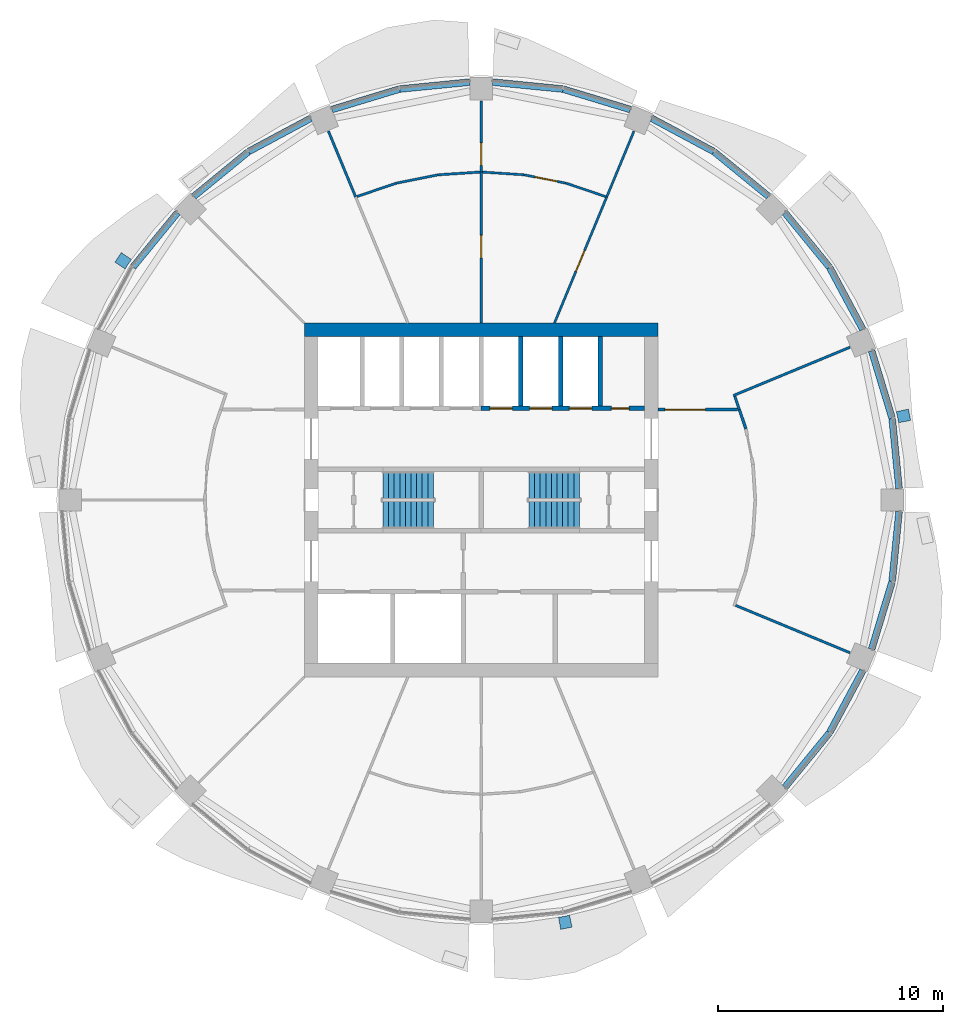
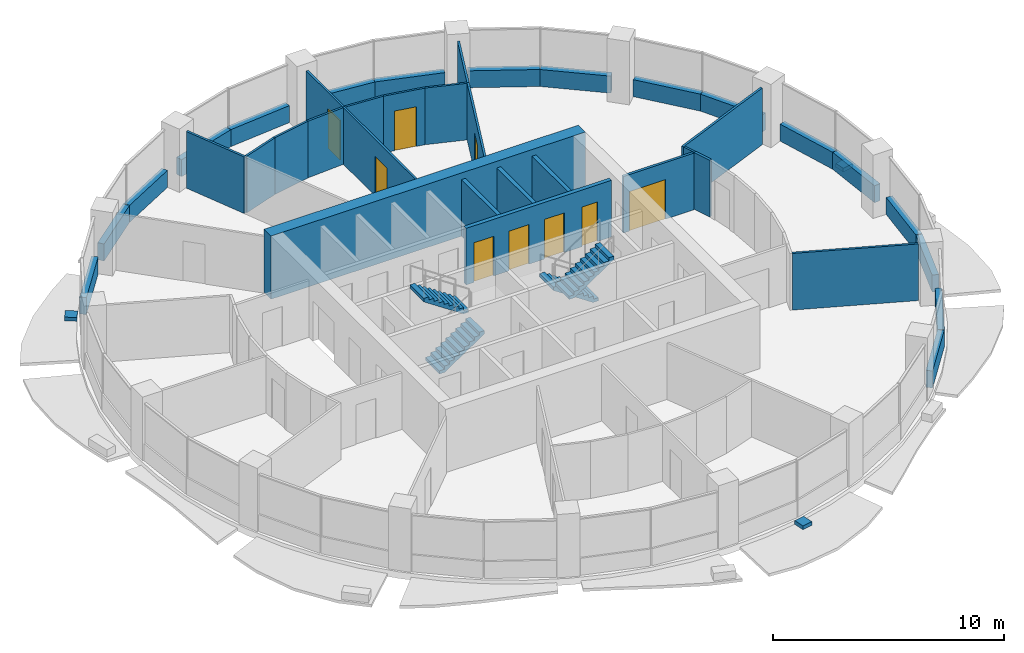
# One storey, part 10 of 14: 38 walls, 9 doors, 4 stair flights, 3 discrete accessories, 9 openings, 2 elements without a shape of their own.
"""IFC4 building model written with IfcOpenShell, lengths in metres."""

from ifc_helpers import new_model, si_unit, direction, frame, frame_2d, origin, place, context, subcontext, project, spatial, polyline, rectangle, outline, extrude, material, layer, layer_set, type_object, element, fill, aggregate, save


model = new_model("IFC4")

# Units and contexts
model_context = context("Model", 3, precision=1e-05, world=origin(), true_north=direction((0.0, 1.0)))
body_context = subcontext(model_context, "Body", "Model", "MODEL_VIEW")
ifc_project = project(units=[si_unit("LENGTHUNIT", "METRE"), si_unit("AREAUNIT", "SQUARE_METRE"), si_unit("VOLUMEUNIT", "CUBIC_METRE"), si_unit("PLANEANGLEUNIT", "RADIAN"), si_unit("MASSUNIT", "GRAM", prefix="KILO")], contexts=[model_context])

# Site, building, storey
site_placement = place(None, origin())
site = spatial("IfcSite", under=ifc_project, at=site_placement, CompositionType="ELEMENT")
building_placement = place(site_placement, origin())
building = spatial("IfcBuilding", under=site, at=building_placement, Name="Polderwave Tower", CompositionType="ELEMENT")
storey_placement = place(building_placement, frame((0.0, 0.0, 147.75)))
storey = spatial("IfcBuildingStorey", under=building, at=storey_placement, Name="L39", CompositionType="ELEMENT", Elevation=147.75)

# Walls
ifc_material_1 = material(Name="Concrete C60/75", Category="concrete")
ifc_layer_1 = layer(ifc_material_1, 0.60009765625)
ifc_layer_set_1 = layer_set([ifc_layer_1], Name="CORE WALL 600 C60/75")
wall_type_1 = type_object("IfcWallType", Name="CORE WALL 600 C60/75", PredefinedType="SHEAR", material=ifc_layer_set_1)
wall_1_placement = place(storey_placement, frame((-7.8740234375, 7.573974609375, 0.0), z_axis=(0.0, 0.0, 1.0), x_axis=(1.0, 0.0, 0.0)))
element("IfcWall", 1, at=wall_1_placement, inside=storey, type_object=wall_type_1, Name="ST-CORE-L39-N", PredefinedType="SHEAR", context=body_context, shape_type="SweptSolid", body=[
    extrude(rectangle(XDim=15.748046875, YDim=0.60009765625, at=frame_2d((7.8740234375, 0.0))), origin(), (0.0, 0.0, 1.0), 3.35009765625),
])
ifc_material_2 = material(Name="Concrete C50/60 (board-marked)", Category="concrete")
ifc_layer_2 = layer(ifc_material_2, 0.300048828125)
ifc_layer_set_2 = layer_set([ifc_layer_2], Name="Concrete spandrel upstand C50/60")
wall_type_2 = type_object("IfcWallType", Name="Concrete spandrel upstand C50/60", PredefinedType="SOLIDWALL", material=ifc_layer_set_2)
wall_2_placement = place(storey_placement, frame((18.599609375, 0.513916015625, 0.0), z_axis=(0.0, 0.0, 1.0), x_axis=(-0.097994848851, 0.995186921939, 0.0)))
element("IfcWall", 2, at=wall_2_placement, inside=storey, type_object=wall_type_2, Name="Spandrel L39 1a", PredefinedType="SOLIDWALL", context=body_context, shape_type="SweptSolid", body=[
    extrude(rectangle(XDim=3.124267578125, YDim=0.300048828125, at=frame_2d((1.56201171875, 0.0))), origin(), (0.0, 0.0, 1.0), 0.89990234375),
])
for number, where, z_axis, x_axis, name in (
    (3, (18.28759765625, 3.65234375, 0.0), (0.0, 0.0, 1.0), (-0.290614442714, 0.95684024042, 0.0), "Spandrel L39 1b"),
    (4, (16.98681640625, 7.59228515625, 0.0), (0.0, 0.0, 1.0), (-0.471577373746, 0.881824688116, 0.0), "Spandrel L39 2a"),
    (5, (15.49658203125, 10.37255859375, 0.0), (0.0, 0.0, 1.0), (-0.633977746593, 0.773351289405, 0.0), "Spandrel L39 2b"),
    (6, (12.789306640625, 13.515380859375, 0.0), (0.0, 0.0, 1.0), (-0.773351289405, 0.633977746593, 0.0), "Spandrel L39 3a"),
    (7, (10.347900390625, 15.51318359375, 0.0), (0.0, 0.0, 1.0), (-0.881824688116, 0.471577373746, 0.0), "Spandrel L39 3b"),
    (8, (6.642578125, 17.37939453125, 0.0), (0.0, 0.0, 1.0), (-0.95684024042, 0.290614442714, 0.0), "Spandrel L39 4a"),
):
    element("IfcWall", number, at=place(storey_placement, frame(where, z_axis=z_axis, x_axis=x_axis)), inside=storey, type_object=wall_type_2, Name=name, PredefinedType="SOLIDWALL", context=body_context, shape_type="SweptSolid", body=[
        extrude(rectangle(XDim=3.125, YDim=0.300048828125, at=frame_2d((1.5625, 0.0))), origin(), (0.0, 0.0, 1.0), 0.89990234375),
    ])
for number, where, z_axis, x_axis, name in (
    (9, (3.623046875, 18.29345703125, 0.0), (0.0, 0.0, 1.0), (-0.995186921939, 0.097994848851, 0.0), "Spandrel L39 4b"),
    (10, (-0.513916015625, 18.599609375, 0.0), (0.0, 0.0, 1.0), (-0.995186921939, -0.097994848851, 0.0), "Spandrel L39 5a"),
):
    element("IfcWall", number, at=place(storey_placement, frame(where, z_axis=z_axis, x_axis=x_axis)), inside=storey, type_object=wall_type_2, Name=name, PredefinedType="SOLIDWALL", context=body_context, shape_type="SweptSolid", body=[
        extrude(rectangle(XDim=3.124267578125, YDim=0.300048828125, at=frame_2d((1.56201171875, 0.0))), origin(), (0.0, 0.0, 1.0), 0.89990234375),
    ])
for number, where, z_axis, x_axis, name in (
    (11, (-3.65234375, 18.28759765625, 0.0), (0.0, 0.0, 1.0), (-0.95684024042, -0.290614442714, 0.0), "Spandrel L39 5b"),
    (12, (-7.59228515625, 16.98681640625, 0.0), (0.0, 0.0, 1.0), (-0.881824688116, -0.471577373746, 0.0), "Spandrel L39 6a"),
    (13, (-10.37255859375, 15.49658203125, 0.0), (0.0, 0.0, 1.0), (-0.773351289405, -0.633977746593, 0.0), "Spandrel L39 6b"),
    (14, (-13.515380859375, 12.789306640625, 0.0), (0.0, 0.0, 1.0), (-0.633977746593, -0.773351289405, 0.0), "Spandrel L39 7a"),
    (15, (13.515380859375, -12.789306640625, 0.0), (0.0, 0.0, 1.0), (0.633977746593, 0.773351289405, 0.0), "Spandrel L39 15a"),
    (16, (15.51318359375, -10.347900390625, 0.0), (0.0, 0.0, 1.0), (0.471577373746, 0.881824688116, 0.0), "Spandrel L39 15b"),
    (17, (17.37939453125, -6.642578125, 0.0), (0.0, 0.0, 1.0), (0.290614442714, 0.95684024042, 0.0), "Spandrel L39 16a"),
):
    element("IfcWall", number, at=place(storey_placement, frame(where, z_axis=z_axis, x_axis=x_axis)), inside=storey, type_object=wall_type_2, Name=name, PredefinedType="SOLIDWALL", context=body_context, shape_type="SweptSolid", body=[
        extrude(rectangle(XDim=3.125, YDim=0.300048828125, at=frame_2d((1.5625, 0.0))), origin(), (0.0, 0.0, 1.0), 0.89990234375),
    ])
wall_3_placement = place(storey_placement, frame((18.29345703125, -3.623046875, 0.0), z_axis=(0.0, 0.0, 1.0), x_axis=(0.097994848851, 0.995186921939, 0.0)))
element("IfcWall", 18, at=wall_3_placement, inside=storey, type_object=wall_type_2, Name="Spandrel L39 16b", PredefinedType="SOLIDWALL", context=body_context, shape_type="SweptSolid", body=[
    extrude(rectangle(XDim=3.124267578125, YDim=0.300048828125, at=frame_2d((1.56201171875, 0.0))), origin(), (0.0, 0.0, 1.0), 0.89990234375),
])

# Wall, openings, doors
ifc_material_3 = material(Name="Concrete C50/60", Category="concrete")
ifc_layer_3 = layer(ifc_material_3, 0.199951171875)
ifc_layer_set_3 = layer_set([ifc_layer_3], Name="Core web wall 200")
wall_type_3 = type_object("IfcWallType", Name="Core web wall 200", PredefinedType="SHEAR", material=ifc_layer_set_3)
wall_4_placement = place(storey_placement, frame((0.0, 4.073974609375, 0.0), z_axis=(0.0, 0.0, 1.0), x_axis=(1.0, 0.0, 0.0)))
wall_4 = element("IfcWall", 19, at=wall_4_placement, inside=storey, type_object=wall_type_3, Name="L39 north front wall 2", PredefinedType="SHEAR", context=body_context, shape_type="SweptSolid", body=[
    extrude(rectangle(XDim=7.27392578125, YDim=0.199951171875, at=frame_2d((3.636962890625, 0.0))), origin(), (0.0, 0.0, 1.0), 3.0),
])
opening_1_placement = place(wall_4_placement, frame((0.38427734375, 0.0, 0.0)))
opening_1 = element("IfcOpeningElement", 20, at=opening_1_placement, cuts=wall_4, Name="Opening L39-D07", PredefinedType="OPENING", context=body_context, shape_type="SweptSolid", body=[
    extrude(rectangle(XDim=1.0, YDim=2.10009765625, at=frame_2d((0.5, 1.050048828125))), frame((0.0, 0.10986328125, 0.0), z_axis=(0.0, -1.0, 0.0), x_axis=(1.0, 0.0, 0.0)), (0.0, 0.0, 1.0), 0.219970703125),
])
opening_2_placement = place(wall_4_placement, frame((2.15283203125, 0.0, 0.0)))
opening_2 = element("IfcOpeningElement", 21, at=opening_2_placement, cuts=wall_4, Name="Opening L39-D08", PredefinedType="OPENING", context=body_context, shape_type="SweptSolid", body=[
    extrude(rectangle(XDim=1.0, YDim=2.10009765625, at=frame_2d((0.5, 1.050048828125))), frame((0.0, 0.10986328125, 0.0), z_axis=(0.0, -1.0, 0.0), x_axis=(1.0, 0.0, 0.0)), (0.0, 0.0, 1.0), 0.219970703125),
])
opening_3_placement = place(wall_4_placement, frame((3.921142578125, 0.0, 0.0)))
opening_3 = element("IfcOpeningElement", 22, at=opening_3_placement, cuts=wall_4, Name="Opening L39-D09", PredefinedType="OPENING", context=body_context, shape_type="SweptSolid", body=[
    extrude(rectangle(XDim=1.0, YDim=2.10009765625, at=frame_2d((0.5, 1.050048828125))), frame((0.0, 0.10986328125, 0.0), z_axis=(0.0, -1.0, 0.0), x_axis=(1.0, 0.0, 0.0)), (0.0, 0.0, 1.0), 0.219970703125),
])
opening_4_placement = place(wall_4_placement, frame((5.789794921875, 0.0, 0.0)))
opening_4 = element("IfcOpeningElement", 23, at=opening_4_placement, cuts=wall_4, Name="Opening L39-D17", PredefinedType="OPENING", context=body_context, shape_type="SweptSolid", body=[
    extrude(rectangle(XDim=0.800048828125, YDim=2.10009765625, at=frame_2d((0.39990234375, 1.050048828125))), frame((0.0, 0.10986328125, 0.0), z_axis=(0.0, -1.0, 0.0), x_axis=(1.0, 0.0, 0.0)), (0.0, 0.0, 1.0), 0.219970703125),
])
ifc_material_4 = material(Name="Stainless steel", Category="steel")
door_type_1 = type_object("IfcDoorType", Name="Lift landing door 1000", OperationType="DOUBLE_DOOR_SLIDING", PredefinedType="DOOR", material=ifc_material_4)
door_1_placement = place(opening_1_placement, frame((1.0, 0.0, 0.0), z_axis=(0.0, 0.0, 1.0), x_axis=(-1.0, 0.0, 0.0)))
door_1 = element("IfcDoor", 24, at=door_1_placement, inside=storey, type_object=door_type_1, Name="Lift HL5 landing door", OperationType="DOUBLE_DOOR_SLIDING", OverallHeight=2.10009765625, OverallWidth=1.0, PredefinedType="DOOR", context=body_context, shape_type="SweptSolid", body=[
    extrude(rectangle(XDim=1.0, YDim=2.10009765625, at=frame_2d((0.5, 1.050048828125))), frame((0.0, 0.02490234375, 0.0), z_axis=(0.0, -1.0, 0.0), x_axis=(1.0, 0.0, 0.0)), (0.0, 0.0, 1.0), 0.050048828125),
])
fill(opening_1, door_1)
door_2_placement = place(opening_2_placement, frame((1.0, 0.0, 0.0), z_axis=(0.0, 0.0, 1.0), x_axis=(-1.0, 0.0, 0.0)))
door_2 = element("IfcDoor", 25, at=door_2_placement, inside=storey, type_object=door_type_1, Name="Lift HL6 landing door", OperationType="DOUBLE_DOOR_SLIDING", OverallHeight=2.10009765625, OverallWidth=1.0, PredefinedType="DOOR", context=body_context, shape_type="SweptSolid", body=[
    extrude(rectangle(XDim=1.0, YDim=2.10009765625, at=frame_2d((0.5, 1.050048828125))), frame((0.0, 0.02490234375, 0.0), z_axis=(0.0, -1.0, 0.0), x_axis=(1.0, 0.0, 0.0)), (0.0, 0.0, 1.0), 0.050048828125),
])
fill(opening_2, door_2)
door_3_placement = place(opening_3_placement, frame((1.0, 0.0, 0.0), z_axis=(0.0, 0.0, 1.0), x_axis=(-1.0, 0.0, 0.0)))
door_3 = element("IfcDoor", 26, at=door_3_placement, inside=storey, type_object=door_type_1, Name="Lift HL7 landing door", OperationType="DOUBLE_DOOR_SLIDING", OverallHeight=2.10009765625, OverallWidth=1.0, PredefinedType="DOOR", context=body_context, shape_type="SweptSolid", body=[
    extrude(rectangle(XDim=1.0, YDim=2.10009765625, at=frame_2d((0.5, 1.050048828125))), frame((0.0, 0.02490234375, 0.0), z_axis=(0.0, -1.0, 0.0), x_axis=(1.0, 0.0, 0.0)), (0.0, 0.0, 1.0), 0.050048828125),
])
fill(opening_3, door_3)
ifc_material_5 = material(Name="Steel fire door", Category="steel")
door_type_2 = type_object("IfcDoorType", Name="Riser door 800", OperationType="NOTDEFINED", PredefinedType="DOOR", material=ifc_material_5)
door_4_placement = place(opening_4_placement, frame((0.800048828125, 0.0, 0.0), z_axis=(0.0, 0.0, 1.0), x_axis=(-1.0, 0.0, 0.0)))
door_4 = element("IfcDoor", 27, at=door_4_placement, inside=storey, type_object=door_type_2, Name="Riser door", OperationType="SINGLE_SWING_LEFT", OverallHeight=2.10009765625, OverallWidth=0.800048828125, PredefinedType="DOOR", context=body_context, shape_type="SweptSolid", body=[
    extrude(rectangle(XDim=0.800048828125, YDim=2.10009765625, at=frame_2d((0.39990234375, 1.050048828125))), frame((0.0, 0.02490234375, 0.0), z_axis=(0.0, -1.0, 0.0), x_axis=(1.0, 0.0, 0.0)), (0.0, 0.0, 1.0), 0.050048828125),
])
fill(opening_4, door_4)

# Wall
ifc_material_6 = material(Name="Fire-resisting board on steel studs", Category="steel")
ifc_layer_4 = layer(ifc_material_6, 0.125)
ifc_layer_set_4 = layer_set([ifc_layer_4], Name="Corridor wall 125 mm EI 60")
wall_type_4 = type_object("IfcWallType", Name="Corridor wall 125 mm EI 60", PredefinedType="PARTITIONING", material=ifc_layer_set_4)
wall_5_placement = place(storey_placement, frame((11.489990234375, 4.0244140625, 0.0), z_axis=(0.0, 0.0, 1.0), x_axis=(0.321528033916, -0.946900059883, 0.0)))
element("IfcWall", 28, at=wall_5_placement, inside=storey, type_object=wall_type_4, Name="IN-L39-W001", PredefinedType="PARTITIONING", context=body_context, shape_type="SweptSolid", body=[
    extrude(rectangle(XDim=0.9111328125, YDim=0.125, at=frame_2d((0.45556640625, 0.0))), origin(), (0.0, 0.0, 1.0), 3.0),
])

# Wall, opening, door
wall_6_placement = place(storey_placement, frame((7.8740234375, 4.0244140625, 0.0), z_axis=(0.0, 0.0, 1.0), x_axis=(1.0, 0.0, 0.0)))
wall_6 = element("IfcWall", 29, at=wall_6_placement, inside=storey, type_object=wall_type_4, Name="IN-L39-W007", PredefinedType="PARTITIONING", context=body_context, shape_type="SweptSolid", body=[
    extrude(rectangle(XDim=3.52880859375, YDim=0.125, at=frame_2d((1.764404296875, 0.0))), origin(), (0.0, 0.0, 1.0), 3.0),
])
opening_5_placement = place(wall_6_placement, frame((0.300048828125, 0.0, 0.0)))
opening_5 = element("IfcOpeningElement", 30, at=opening_5_placement, cuts=wall_6, Name="Opening L39-D51", PredefinedType="OPENING", context=body_context, shape_type="SweptSolid", body=[
    extrude(rectangle(XDim=1.800048828125, YDim=2.10009765625, at=frame_2d((0.89990234375, 1.050048828125))), frame((0.0, 0.072509765625, 0.0), z_axis=(0.0, -1.0, 0.0), x_axis=(1.0, 0.0, 0.0)), (0.0, 0.0, 1.0), 0.14501953125),
])
ifc_material_7 = material(Name="Timber fire door leaves", Category="wood")
door_type_3 = type_object("IfcDoorType", Name="Double fire door FD30S 1800 x 2100", OperationType="NOTDEFINED", PredefinedType="DOOR", material=ifc_material_7)
door_5_placement = place(opening_5_placement, origin())
door_5 = element("IfcDoor", 31, at=door_5_placement, inside=storey, type_object=door_type_3, Name="Door L39-D51", OperationType="DOUBLE_DOOR_SINGLE_SWING", OverallHeight=2.10009765625, OverallWidth=1.800048828125, PredefinedType="DOOR", context=body_context, shape_type="SweptSolid", body=[
    extrude(rectangle(XDim=1.800048828125, YDim=2.10009765625, at=frame_2d((0.89990234375, 1.050048828125))), frame((0.0, 0.02490234375, 0.0), z_axis=(0.0, -1.0, 0.0), x_axis=(1.0, 0.0, 0.0)), (0.0, 0.0, 1.0), 0.050048828125),
])
fill(opening_5, door_5)

ifc_material_8 = material(Name="Plasterboard on steel studs", Category="steel")
ifc_layer_5 = layer(ifc_material_8, 0.10009765625)
ifc_layer_set_5 = layer_set([ifc_layer_5], Name="Partition 100 mm plasterboard on steel studs")
wall_type_5 = type_object("IfcWallType", Name="Partition 100 mm plasterboard on steel studs", PredefinedType="PARTITIONING", material=ifc_layer_set_5)
wall_7_placement = place(storey_placement, frame((3.261474609375, 7.8740234375, 0.0), z_axis=(0.0, 0.0, 1.0), x_axis=(0.382694772383, 0.92387483524, 0.0)))
wall_7 = element("IfcWall", 32, at=wall_7_placement, inside=storey, type_object=wall_type_5, Name="IN-L39-W021", PredefinedType="PARTITIONING", context=body_context, shape_type="SweptSolid", body=[
    extrude(rectangle(XDim=6.0771484375, YDim=0.10009765625, at=frame_2d((3.03857421875, 0.0))), origin(), (0.0, 0.0, 1.0), 3.0),
])
opening_6_placement = place(wall_7_placement, frame((2.5, 0.0, 0.0)))
opening_6 = element("IfcOpeningElement", 33, at=opening_6_placement, cuts=wall_7, Name="Opening L39-D57", PredefinedType="OPENING", context=body_context, shape_type="SweptSolid", body=[
    extrude(rectangle(XDim=1.0, YDim=2.10009765625, at=frame_2d((0.5, 1.050048828125))), frame((0.0, 0.06005859375, 0.0), z_axis=(0.0, -1.0, 0.0), x_axis=(1.0, 0.0, 0.0)), (0.0, 0.0, 1.0), 0.1201171875),
])
ifc_material_9 = material(Name="Timber veneer door leaf", Category="wood")
door_type_4 = type_object("IfcDoorType", Name="Single door 1000 x 2100", OperationType="NOTDEFINED", PredefinedType="DOOR", material=ifc_material_9)
door_6_placement = place(opening_6_placement, origin())
door_6 = element("IfcDoor", 34, at=door_6_placement, inside=storey, type_object=door_type_4, Name="Door L39-D57", OperationType="SINGLE_SWING_LEFT", OverallHeight=2.10009765625, OverallWidth=1.0, PredefinedType="DOOR", context=body_context, shape_type="SweptSolid", body=[
    extrude(rectangle(XDim=1.0, YDim=2.10009765625, at=frame_2d((0.5, 1.050048828125))), frame((0.0, 0.02490234375, 0.0), z_axis=(0.0, -1.0, 0.0), x_axis=(1.0, 0.0, 0.0)), (0.0, 0.0, 1.0), 0.050048828125),
])
fill(opening_6, door_6)

# Walls
wall_8_placement = place(storey_placement, frame((5.587158203125, 13.488525390625, 0.0), z_axis=(0.0, 0.0, 1.0), x_axis=(0.382689618566, 0.923876970079, 0.0)))
element("IfcWall", 35, at=wall_8_placement, inside=storey, type_object=wall_type_5, Name="IN-L39-W022", PredefinedType="PARTITIONING", context=body_context, shape_type="SweptSolid", body=[
    extrude(rectangle(XDim=3.169921875, YDim=0.10009765625, at=frame_2d((1.5849609375, 0.0))), origin(), (0.0, 0.0, 1.0), 3.0),
])
wall_9_placement = place(storey_placement, frame((0.055908203125, 14.59619140625, 0.0), z_axis=(0.0, 0.0, 1.0), x_axis=(0.99786499138, -0.065310481387, 0.0)))
element("IfcWall", 36, at=wall_9_placement, inside=storey, type_object=wall_type_5, Name="IN-L39-W023", PredefinedType="PARTITIONING", context=body_context, shape_type="SweptSolid", body=[
    extrude(rectangle(XDim=1.850341796875, YDim=0.10009765625, at=frame_2d((0.92529296875, 0.0))), origin(), (0.0, 0.0, 1.0), 3.0),
])

# Wall, opening, door
wall_10_placement = place(storey_placement, frame((1.908935546875, 14.474609375, 0.0), z_axis=(0.0, 0.0, 1.0), x_axis=(0.980757879189, -0.195228026697, 0.0)))
wall_10 = element("IfcWall", 37, at=wall_10_placement, inside=storey, type_object=wall_type_5, Name="IN-L39-W024", PredefinedType="PARTITIONING", context=body_context, shape_type="SweptSolid", body=[
    extrude(rectangle(XDim=1.9033203125, YDim=0.10009765625, at=frame_2d((0.95166015625, 0.0))), origin(), (0.0, 0.0, 1.0), 3.0),
])
opening_7_placement = place(wall_10_placement, frame((0.5, 0.0, 0.0)))
opening_7 = element("IfcOpeningElement", 38, at=opening_7_placement, cuts=wall_10, Name="Opening L39-D58", PredefinedType="OPENING", context=body_context, shape_type="SweptSolid", body=[
    extrude(rectangle(XDim=1.0, YDim=2.10009765625, at=frame_2d((0.5, 1.050048828125))), frame((0.0, 0.06005859375, 0.0), z_axis=(0.0, -1.0, 0.0), x_axis=(1.0, 0.0, 0.0)), (0.0, 0.0, 1.0), 0.1201171875),
])
door_7_placement = place(opening_7_placement, origin())
door_7 = element("IfcDoor", 39, at=door_7_placement, inside=storey, type_object=door_type_4, Name="Door L39-D58", OperationType="SINGLE_SWING_RIGHT", OverallHeight=2.10009765625, OverallWidth=1.0, PredefinedType="DOOR", context=body_context, shape_type="SweptSolid", body=[
    extrude(rectangle(XDim=1.0, YDim=2.10009765625, at=frame_2d((0.5, 1.050048828125))), frame((0.0, 0.02490234375, 0.0), z_axis=(0.0, -1.0, 0.0), x_axis=(1.0, 0.0, 0.0)), (0.0, 0.0, 1.0), 0.050048828125),
])
fill(opening_7, door_7)

# Wall
wall_11_placement = place(storey_placement, frame((3.781982421875, 14.101318359375, 0.0), z_axis=(0.0, 0.0, 1.0), x_axis=(0.94695650577, -0.321361752828, 0.0)))
element("IfcWall", 40, at=wall_11_placement, inside=storey, type_object=wall_type_5, Name="IN-L39-W025", PredefinedType="PARTITIONING", context=body_context, shape_type="SweptSolid", body=[
    extrude(rectangle(XDim=1.85302734375, YDim=0.10009765625, at=frame_2d((0.926513671875, 0.0))), origin(), (0.0, 0.0, 1.0), 3.0),
])

# Wall, opening, door
wall_12_placement = place(storey_placement, frame((0.0, 14.60009765625, 0.0), z_axis=(0.0, 0.0, 1.0), x_axis=(0.0, 1.0, 0.0)))
wall_12 = element("IfcWall", 41, at=wall_12_placement, inside=storey, type_object=wall_type_5, Name="IN-L39-W027", PredefinedType="PARTITIONING", context=body_context, shape_type="SweptSolid", body=[
    extrude(rectangle(XDim=3.169921875, YDim=0.10009765625, at=frame_2d((1.5849609375, 0.0))), origin(), (0.0, 0.0, 1.0), 3.0),
])
opening_8_placement = place(wall_12_placement, frame((0.300048828125, 0.0, 0.0)))
opening_8 = element("IfcOpeningElement", 42, at=opening_8_placement, cuts=wall_12, Name="Opening L39-D60", PredefinedType="OPENING", context=body_context, shape_type="SweptSolid", body=[
    extrude(rectangle(XDim=1.0, YDim=2.10009765625, at=frame_2d((0.5, 1.050048828125))), frame((0.0, 0.06005859375, 0.0), z_axis=(0.0, -1.0, 0.0), x_axis=(1.0, 0.0, 0.0)), (0.0, 0.0, 1.0), 0.1201171875),
])
door_8_placement = place(opening_8_placement, origin())
door_8 = element("IfcDoor", 43, at=door_8_placement, inside=storey, type_object=door_type_4, Name="Door L39-D60", OperationType="SINGLE_SWING_LEFT", OverallHeight=2.10009765625, OverallWidth=1.0, PredefinedType="DOOR", context=body_context, shape_type="SweptSolid", body=[
    extrude(rectangle(XDim=1.0, YDim=2.10009765625, at=frame_2d((0.5, 1.050048828125))), frame((0.0, 0.02490234375, 0.0), z_axis=(0.0, -1.0, 0.0), x_axis=(1.0, 0.0, 0.0)), (0.0, 0.0, 1.0), 0.050048828125),
])
fill(opening_8, door_8)

ifc_material_10 = material(Name="Moisture-resistant board on steel studs, tiled", Category="steel")
ifc_layer_6 = layer(ifc_material_10, 0.10498046875)
ifc_layer_set_6 = layer_set([ifc_layer_6], Name="Partition 105 mm wet room board and tile")
wall_type_6 = type_object("IfcWallType", Name="Partition 105 mm wet room board and tile", PredefinedType="PARTITIONING", material=ifc_layer_set_6)
wall_13_placement = place(storey_placement, frame((0.0, 7.8740234375, 0.0), z_axis=(0.0, 0.0, 1.0), x_axis=(0.0, 1.0, 0.0)))
wall_13 = element("IfcWall", 44, at=wall_13_placement, inside=storey, type_object=wall_type_6, Name="IN-L39-W026", PredefinedType="PARTITIONING", context=body_context, shape_type="SweptSolid", body=[
    extrude(rectangle(XDim=6.72607421875, YDim=0.10498046875, at=frame_2d((3.363037109375, 0.0))), origin(), (0.0, 0.0, 1.0), 3.0),
])
opening_9_placement = place(wall_13_placement, frame((2.89990234375, 0.0, 0.0)))
opening_9 = element("IfcOpeningElement", 45, at=opening_9_placement, cuts=wall_13, Name="Opening L39-D59", PredefinedType="OPENING", context=body_context, shape_type="SweptSolid", body=[
    extrude(rectangle(XDim=1.0, YDim=2.10009765625, at=frame_2d((0.5, 1.050048828125))), frame((0.0, 0.0625, 0.0), z_axis=(0.0, -1.0, 0.0), x_axis=(1.0, 0.0, 0.0)), (0.0, 0.0, 1.0), 0.125),
])
door_9_placement = place(opening_9_placement, origin())
door_9 = element("IfcDoor", 46, at=door_9_placement, inside=storey, type_object=door_type_4, Name="Door L39-D59", OperationType="SINGLE_SWING_RIGHT", OverallHeight=2.10009765625, OverallWidth=1.0, PredefinedType="DOOR", context=body_context, shape_type="SweptSolid", body=[
    extrude(rectangle(XDim=1.0, YDim=2.10009765625, at=frame_2d((0.5, 1.050048828125))), frame((0.0, 0.02490234375, 0.0), z_axis=(0.0, -1.0, 0.0), x_axis=(1.0, 0.0, 0.0)), (0.0, 0.0, 1.0), 0.050048828125),
])
fill(opening_9, door_9)

# Walls
wall_14_placement = place(storey_placement, frame((-5.53173828125, 13.50732421875, 0.0), z_axis=(0.0, 0.0, 1.0), x_axis=(0.946924847976, 0.321455023737, 0.0)))
element("IfcWall", 47, at=wall_14_placement, inside=storey, type_object=wall_type_6, Name="IN-L39-W028", PredefinedType="PARTITIONING", context=body_context, shape_type="SweptSolid", body=[
    extrude(rectangle(XDim=1.847900390625, YDim=0.10498046875, at=frame_2d((0.923828125, 0.0))), origin(), (0.0, 0.0, 1.0), 3.0),
])
wall_15_placement = place(storey_placement, frame((-3.775390625, 14.103271484375, 0.0), z_axis=(0.0, 0.0, 1.0), x_axis=(0.980797213672, 0.19503031983, 0.0)))
element("IfcWall", 48, at=wall_15_placement, inside=storey, type_object=wall_type_6, Name="IN-L39-W029", PredefinedType="PARTITIONING", context=body_context, shape_type="SweptSolid", body=[
    extrude(rectangle(XDim=1.90283203125, YDim=0.10498046875, at=frame_2d((0.951416015625, 0.0))), origin(), (0.0, 0.0, 1.0), 3.0),
])
wall_16_placement = place(storey_placement, frame((-1.90234375, 14.475341796875, 0.0), z_axis=(0.0, 0.0, 1.0), x_axis=(0.99786499138, 0.065310481387, 0.0)))
element("IfcWall", 49, at=wall_16_placement, inside=storey, type_object=wall_type_6, Name="IN-L39-W030", PredefinedType="PARTITIONING", context=body_context, shape_type="SweptSolid", body=[
    extrude(rectangle(XDim=1.850341796875, YDim=0.10498046875, at=frame_2d((0.92529296875, 0.0))), origin(), (0.0, 0.0, 1.0), 3.0),
])
ifc_material_11 = material(Name="Acoustic double plasterboard on steel studs", Category="steel")
ifc_layer_7 = layer(ifc_material_11, 0.110107421875)
ifc_layer_set_7 = layer_set([ifc_layer_7], Name="Partition 110 mm acoustic double board")
wall_type_7 = type_object("IfcWallType", Name="Partition 110 mm acoustic double board", PredefinedType="PARTITIONING", material=ifc_layer_set_7)
wall_17_placement = place(storey_placement, frame((11.220458984375, 4.647705078125, 0.0), z_axis=(0.0, 0.0, 1.0), x_axis=(0.923878763535, 0.382685288833, 0.0)))
element("IfcWall", 50, at=wall_17_placement, inside=storey, type_object=wall_type_7, Name="IN-L39-W017", PredefinedType="PARTITIONING", context=body_context, shape_type="SweptSolid", body=[
    extrude(rectangle(XDim=5.625, YDim=0.110107421875, at=frame_2d((2.8125, 0.0))), origin(), (0.0, 0.0, 1.0), 3.0),
])
wall_18_placement = place(storey_placement, frame((11.489990234375, 4.0244140625, 0.0), z_axis=(0.0, 0.0, 1.0), x_axis=(-0.321290054949, 0.946980834331, 0.0)))
element("IfcWall", 51, at=wall_18_placement, inside=storey, type_object=wall_type_7, Name="IN-L39-W018", PredefinedType="PARTITIONING", context=body_context, shape_type="SweptSolid", body=[
    extrude(rectangle(XDim=0.62158203125, YDim=0.110107421875, at=frame_2d((0.310791015625, 0.0))), origin(), (0.0, 0.0, 1.0), 3.0),
])
wall_19_placement = place(storey_placement, frame((16.417236328125, -6.80029296875, 0.0), z_axis=(0.0, 0.0, 1.0), x_axis=(-0.923870508307, 0.382705217994, 0.0)))
element("IfcWall", 52, at=wall_19_placement, inside=storey, type_object=wall_type_7, Name="IN-L39-W020", PredefinedType="PARTITIONING", context=body_context, shape_type="SweptSolid", body=[
    extrude(rectangle(XDim=5.51123046875, YDim=0.110107421875, at=frame_2d((2.755615234375, 0.0))), origin(), (0.0, 0.0, 1.0), 3.0),
])
wall_20_placement = place(storey_placement, frame((-5.587158203125, 13.488525390625, 0.0), z_axis=(0.0, 0.0, 1.0), x_axis=(-0.382689618566, 0.923876970079, 0.0)))
element("IfcWall", 53, at=wall_20_placement, inside=storey, type_object=wall_type_7, Name="IN-L39-W032", PredefinedType="PARTITIONING", context=body_context, shape_type="SweptSolid", body=[
    extrude(rectangle(XDim=3.169921875, YDim=0.110107421875, at=frame_2d((1.5849609375, 0.0))), origin(), (0.0, 0.0, 1.0), 3.0),
])
ifc_material_12 = material(Name="Gypsum shaft wall system")
ifc_layer_8 = layer(ifc_material_12, 0.199951171875)
ifc_layer_set_8 = layer_set([ifc_layer_8], Name="Shaft wall 200")
wall_type_8 = type_object("IfcWallType", Name="Shaft wall 200", PredefinedType="PARTITIONING", material=ifc_layer_set_8)
for number, where, z_axis, x_axis, name in (
    (54, (1.7685546875, 4.174072265625, 0.0), (0.0, 0.0, 1.0), (0.0, 1.0, 0.0), "L39 lift shaft wall N5"),
    (55, (3.537109375, 4.174072265625, 0.0), (0.0, 0.0, 1.0), (0.0, 1.0, 0.0), "L39 lift shaft wall N6"),
    (56, (5.305419921875, 4.174072265625, 0.0), (0.0, 0.0, 1.0), (0.0, 1.0, 0.0), "L39 lift shaft wall N7"),
):
    element("IfcWall", number, at=place(storey_placement, frame(where, z_axis=z_axis, x_axis=x_axis)), inside=storey, type_object=wall_type_8, Name=name, PredefinedType="PARTITIONING", context=body_context, shape_type="SweptSolid", body=[
        extrude(rectangle(XDim=3.099853515625, YDim=0.199951171875, at=frame_2d((1.5498046875, 0.0))), origin(), (0.0, 0.0, 1.0), 3.0),
    ])

# Stair, stair flights
ifc_material_13 = material(Name="Concrete C40/50", Category="concrete")
stair_type = type_object("IfcStairType", Name="Exit stair 1200 x 20 risers", PredefinedType="HALF_TURN_STAIR", material=ifc_material_13)
stair_1_placement = place(storey_placement, origin())
stair_1 = element("IfcStair", 57, at=stair_1_placement, inside=storey, type_object=stair_type, Name="L39 Exit stair A", PredefinedType="HALF_TURN_STAIR")
stair_flight_type = type_object("IfcStairFlightType", Name="Stair flight 1200", PredefinedType="STRAIGHT", material=ifc_material_13)
stair_flight_1_placement = place(storey_placement, frame((-4.3740234375, -0.675048828125, 0.0), z_axis=(0.0, 0.0, 1.0), x_axis=(1.0, 0.0, 0.0)))
stair_flight_1 = element("IfcStairFlight", 58, at=stair_flight_1_placement, type_object=stair_flight_type, Name="ST-A flight 1", NumberOfRisers=10, NumberOfTreads=9, PredefinedType="STRAIGHT", RiserHeight=0.1675, TreadLength=0.25, context=body_context, shape_type="SweptSolid", body=[
    extrude(outline(polyline([(0.0, 0.0), (0.0, 0.16748046875), (0.25, 0.16748046875), (0.25, 0.3349609375), (0.5, 0.3349609375), (0.5, 0.50244140625), (0.75, 0.50244140625), (0.75, 0.669921875), (1.0, 0.669921875), (1.0, 0.83740234375), (1.25, 0.83740234375), (1.25, 1.0048828125), (1.5, 1.0048828125), (1.5, 1.172607421875), (1.75, 1.172607421875), (1.75, 1.340087890625), (2.0, 1.340087890625), (2.0, 1.507568359375), (2.25, 1.507568359375), (2.25, 1.675048828125), (2.25, 1.3271484375), (0.269287109375, 0.0), (0.0, 0.0)])), frame((0.0, 0.60009765625, 0.0), z_axis=(0.0, -1.0, 0.0), x_axis=(1.0, 0.0, 0.0)), (0.0, 0.0, 1.0), 1.199951171875),
])
stair_flight_2_placement = place(storey_placement, frame((-2.1240234375, 0.675048828125, 1.675048828125), z_axis=(0.0, 0.0, 1.0), x_axis=(-1.0, 0.0, 0.0)))
stair_flight_2 = element("IfcStairFlight", 59, at=stair_flight_2_placement, type_object=stair_flight_type, Name="ST-A flight 2", NumberOfRisers=10, NumberOfTreads=9, PredefinedType="STRAIGHT", RiserHeight=0.1675, TreadLength=0.25, context=body_context, shape_type="SweptSolid", body=[
    extrude(outline(polyline([(0.0, 0.0), (0.0, 0.16748046875), (0.25, 0.16748046875), (0.25, 0.3349609375), (0.5, 0.3349609375), (0.5, 0.50244140625), (0.75, 0.50244140625), (0.75, 0.669921875), (1.0, 0.669921875), (1.0, 0.83740234375), (1.25, 0.83740234375), (1.25, 1.0048828125), (1.5, 1.0048828125), (1.5, 1.172607421875), (1.75, 1.172607421875), (1.75, 1.340087890625), (2.0, 1.340087890625), (2.0, 1.507568359375), (2.25, 1.507568359375), (2.25, 1.675048828125), (2.25, 1.3271484375), (0.269287109375, 0.0), (0.0, 0.0)])), frame((0.0, 0.60009765625, 0.0), z_axis=(0.0, -1.0, 0.0), x_axis=(1.0, 0.0, 0.0)), (0.0, 0.0, 1.0), 1.199951171875),
])
aggregate(stair_1, [stair_flight_1, stair_flight_2])

stair_2_placement = place(storey_placement, origin())
stair_2 = element("IfcStair", 60, at=stair_2_placement, inside=storey, type_object=stair_type, Name="L39 Exit stair B", PredefinedType="HALF_TURN_STAIR")
stair_flight_3_placement = place(storey_placement, frame((4.3740234375, 0.675048828125, 0.0), z_axis=(0.0, 0.0, 1.0), x_axis=(-1.0, 0.0, 0.0)))
stair_flight_3 = element("IfcStairFlight", 61, at=stair_flight_3_placement, type_object=stair_flight_type, Name="ST-B flight 1", NumberOfRisers=10, NumberOfTreads=9, PredefinedType="STRAIGHT", RiserHeight=0.1675, TreadLength=0.25, context=body_context, shape_type="SweptSolid", body=[
    extrude(outline(polyline([(0.0, 0.0), (0.0, 0.16748046875), (0.25, 0.16748046875), (0.25, 0.3349609375), (0.5, 0.3349609375), (0.5, 0.50244140625), (0.75, 0.50244140625), (0.75, 0.669921875), (1.0, 0.669921875), (1.0, 0.83740234375), (1.25, 0.83740234375), (1.25, 1.0048828125), (1.5, 1.0048828125), (1.5, 1.172607421875), (1.75, 1.172607421875), (1.75, 1.340087890625), (2.0, 1.340087890625), (2.0, 1.507568359375), (2.25, 1.507568359375), (2.25, 1.675048828125), (2.25, 1.3271484375), (0.269287109375, 0.0), (0.0, 0.0)])), frame((0.0, 0.60009765625, 0.0), z_axis=(0.0, -1.0, 0.0), x_axis=(1.0, 0.0, 0.0)), (0.0, 0.0, 1.0), 1.199951171875),
])
stair_flight_4_placement = place(storey_placement, frame((2.1240234375, -0.675048828125, 1.675048828125), z_axis=(0.0, 0.0, 1.0), x_axis=(1.0, 0.0, 0.0)))
stair_flight_4 = element("IfcStairFlight", 62, at=stair_flight_4_placement, type_object=stair_flight_type, Name="ST-B flight 2", NumberOfRisers=10, NumberOfTreads=9, PredefinedType="STRAIGHT", RiserHeight=0.1675, TreadLength=0.25, context=body_context, shape_type="SweptSolid", body=[
    extrude(outline(polyline([(0.0, 0.0), (0.0, 0.16748046875), (0.25, 0.16748046875), (0.25, 0.3349609375), (0.5, 0.3349609375), (0.5, 0.50244140625), (0.75, 0.50244140625), (0.75, 0.669921875), (1.0, 0.669921875), (1.0, 0.83740234375), (1.25, 0.83740234375), (1.25, 1.0048828125), (1.5, 1.0048828125), (1.5, 1.172607421875), (1.75, 1.172607421875), (1.75, 1.340087890625), (2.0, 1.340087890625), (2.0, 1.507568359375), (2.25, 1.507568359375), (2.25, 1.675048828125), (2.25, 1.3271484375), (0.269287109375, 0.0), (0.0, 0.0)])), frame((0.0, 0.60009765625, 0.0), z_axis=(0.0, -1.0, 0.0), x_axis=(1.0, 0.0, 0.0)), (0.0, 0.0, 1.0), 1.199951171875),
])
aggregate(stair_2, [stair_flight_3, stair_flight_4])

# Discrete accessories
ifc_material_14 = material(Name="Steel S355", Category="steel")
discrete_accessory_type = type_object("IfcDiscreteAccessoryType", Name="Band bracket pad", PredefinedType="BRACKET", material=ifc_material_14)
discrete_accessory_1_placement = place(storey_placement, frame((0.0, 0.0, -0.199951171875)))
element("IfcDiscreteAccessory", 63, at=discrete_accessory_1_placement, inside=storey, type_object=discrete_accessory_type, Name="Band bracket L39 1", PredefinedType="BRACKET", context=body_context, shape_type="SweptSolid", body=[
    extrude(outline(polyline([(18.573486328125, 3.43994140625), (18.536865234375, 3.687255859375), (18.47607421875, 3.9296875), (19.01416015625, 4.044189453125), (19.1142578125, 3.5400390625), (18.573486328125, 3.43994140625)])), origin(), (0.0, 0.0, 1.0), 0.199951171875),
])
discrete_accessory_2_placement = place(storey_placement, frame((0.0, 0.0, -0.199951171875)))
element("IfcDiscreteAccessory", 64, at=discrete_accessory_2_placement, inside=storey, type_object=discrete_accessory_type, Name="Band bracket L39 7", PredefinedType="BRACKET", context=body_context, shape_type="SweptSolid", body=[
    extrude(outline(polyline([(-15.56591796875, 10.701171875), (-15.71484375, 10.500244140625), (-15.84326171875, 10.285888671875), (-16.3046875, 10.585205078125), (-16.01904296875, 11.0126953125), (-15.56591796875, 10.701171875)])), origin(), (0.0, 0.0, 1.0), 0.199951171875),
])
discrete_accessory_3_placement = place(storey_placement, frame((0.0, 0.0, -0.199951171875)))
element("IfcDiscreteAccessory", 65, at=discrete_accessory_3_placement, inside=storey, type_object=discrete_accessory_type, Name="Band bracket L39 13", PredefinedType="BRACKET", context=body_context, shape_type="SweptSolid", body=[
    extrude(outline(polyline([(3.43994140625, -18.573486328125), (3.687255859375, -18.536865234375), (3.9296875, -18.47607421875), (4.044189453125, -19.01416015625), (3.5400390625, -19.1142578125), (3.43994140625, -18.573486328125)])), origin(), (0.0, 0.0, 1.0), 0.199951171875),
])

save(model, "model.ifc")
